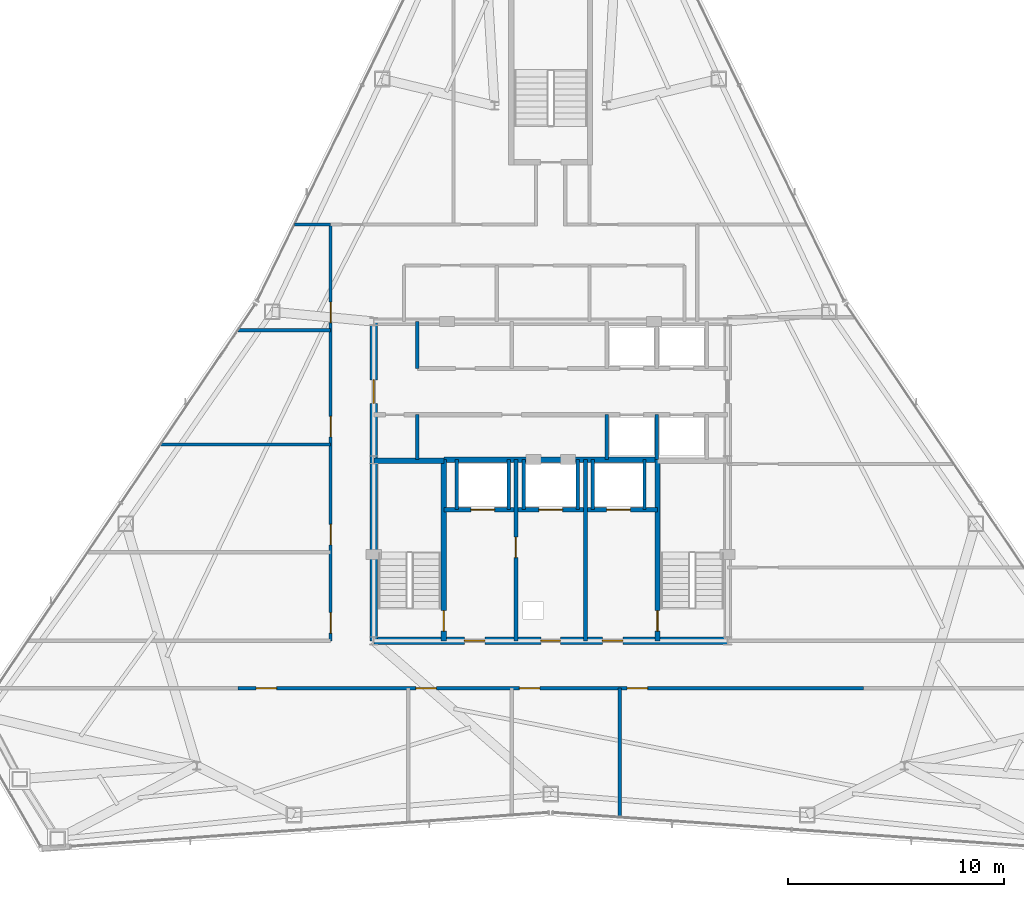
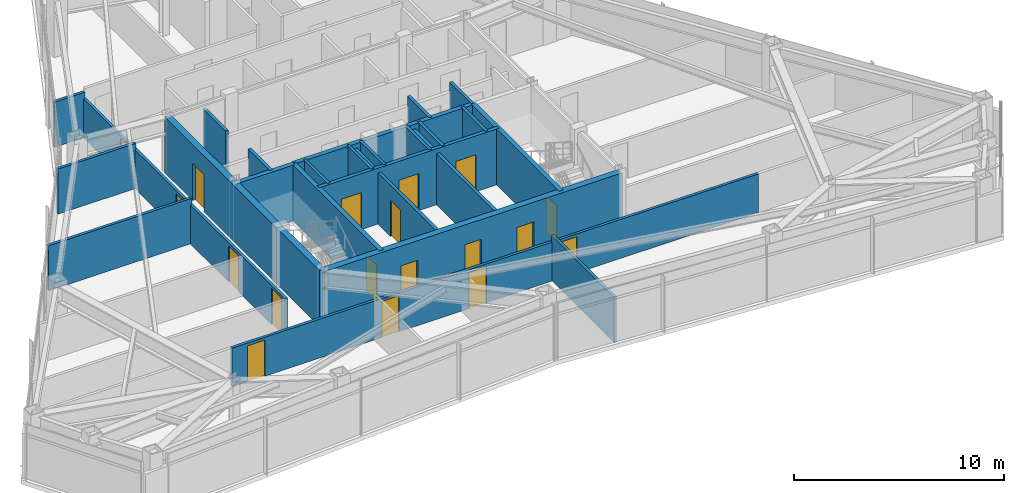
# One storey, part 9 of 12: 25 walls, 18 doors, 18 openings.
"""IFC4 building model written with IfcOpenShell, lengths in metres."""

from ifc_helpers import new_model, si_unit, direction, frame, frame_2d, origin, place, context, subcontext, project, spatial, rectangle, extrude, material, layer, layer_set, type_object, element, fill, save


model = new_model("IFC4")

# Units and contexts
model_context = context("Model", 3, precision=1e-05, world=origin(), true_north=direction((0.0, 1.0)))
body_context = subcontext(model_context, "Body", "Model", "MODEL_VIEW")
ifc_project = project(units=[si_unit("LENGTHUNIT", "METRE"), si_unit("AREAUNIT", "SQUARE_METRE"), si_unit("VOLUMEUNIT", "CUBIC_METRE"), si_unit("PLANEANGLEUNIT", "RADIAN"), si_unit("MASSUNIT", "GRAM", prefix="KILO")], contexts=[model_context])

# Site, building, storey
site_placement = place(None, origin())
site = spatial("IfcSite", under=ifc_project, at=site_placement, CompositionType="ELEMENT")
building_placement = place(site_placement, origin())
building = spatial("IfcBuilding", under=site, at=building_placement, Name="Varakhsha Concourse Tower", CompositionType="ELEMENT")
storey_placement = place(building_placement, frame((0.0, 0.0, 211.89990234375)))
storey = spatial("IfcBuildingStorey", under=building, at=storey_placement, Name="L60", CompositionType="ELEMENT", Elevation=211.89990234375)

# Wall, openings, doors
ifc_material_1 = material(Name="Concrete fc 65 MPa", Category="concrete")
ifc_layer_1 = layer(ifc_material_1, 0.35009765625, Name="WL-CORE-350")
ifc_layer_set_1 = layer_set([ifc_layer_1], Name="Concrete fc 65 MPa")
wall_type_1 = type_object("IfcWallType", Name="WL-CORE-350", PredefinedType="SHEAR", material=ifc_layer_set_1)
wall_1_placement = place(storey_placement, frame((31.800048828125, 16.39990234375, 0.0), z_axis=(0.0, 0.0, 1.0), x_axis=(1.0, 0.0, 0.0)))
wall_1 = element("IfcWall", 1, at=wall_1_placement, inside=storey, type_object=wall_type_1, Name="L60 Wall CWALL-S-L60", PredefinedType="SHEAR", context=body_context, shape_type="SweptSolid", body=[
    extrude(rectangle(XDim=16.39990234375, YDim=0.35009765625, at=frame_2d((8.199951171875, 0.0))), origin(), (0.0, 0.0, 1.0), 3.25),
])
opening_1_placement = place(wall_1_placement, frame((7.75, 0.0, 0.0)))
opening_1 = element("IfcOpeningElement", 2, at=opening_1_placement, cuts=wall_1, Name="Opening DF-06", PredefinedType="OPENING", context=body_context, shape_type="SweptSolid", body=[
    extrude(rectangle(XDim=0.89990234375, YDim=2.10009765625, at=frame_2d((0.449951171875, 1.050048828125))), frame((0.0, 0.18505859375, 0.0), z_axis=(0.0, -1.0, 0.0), x_axis=(1.0, 0.0, 0.0)), (0.0, 0.0, 1.0), 0.3701171875),
])
opening_2_placement = place(wall_1_placement, frame((4.199951171875, 0.0, 0.0)))
opening_2 = element("IfcOpeningElement", 3, at=opening_2_placement, cuts=wall_1, Name="Opening DF-05", PredefinedType="OPENING", context=body_context, shape_type="SweptSolid", body=[
    extrude(rectangle(XDim=0.949951171875, YDim=2.10009765625, at=frame_2d((0.47509765625, 1.050048828125))), frame((0.0, 0.18505859375, 0.0), z_axis=(0.0, -1.0, 0.0), x_axis=(1.0, 0.0, 0.0)), (0.0, 0.0, 1.0), 0.3701171875),
])
opening_3_placement = place(wall_1_placement, frame((10.60009765625, 0.0, 0.0)))
opening_3 = element("IfcOpeningElement", 4, at=opening_3_placement, cuts=wall_1, Name="Opening DF-05", PredefinedType="OPENING", context=body_context, shape_type="SweptSolid", body=[
    extrude(rectangle(XDim=0.949951171875, YDim=2.10009765625, at=frame_2d((0.47509765625, 1.050048828125))), frame((0.0, 0.18505859375, 0.0), z_axis=(0.0, -1.0, 0.0), x_axis=(1.0, 0.0, 0.0)), (0.0, 0.0, 1.0), 0.3701171875),
])
ifc_material_2 = material(Name="Hollow Galvanised Steel Fire Door Assembly", Category="steel")
door_type_1 = type_object("IfcDoorType", Name="DR-FD60-900", OperationType="NOTDEFINED", PredefinedType="DOOR", material=ifc_material_2)
door_1_placement = place(opening_1_placement, origin())
door_1 = element("IfcDoor", 5, at=door_1_placement, inside=storey, type_object=door_type_1, Name="L60 Service Riser Vestibule Door", OperationType="SINGLE_SWING_LEFT", OverallHeight=2.10009765625, OverallWidth=0.89990234375, PredefinedType="DOOR", context=body_context, shape_type="SweptSolid", body=[
    extrude(rectangle(XDim=0.89990234375, YDim=2.10009765625, at=frame_2d((0.449951171875, 1.050048828125))), frame((0.0, 0.02490234375, 0.0), z_axis=(0.0, -1.0, 0.0), x_axis=(1.0, 0.0, 0.0)), (0.0, 0.0, 1.0), 0.050048828125),
])
fill(opening_1, door_1)
door_type_2 = type_object("IfcDoorType", Name="DR-FD60-950", OperationType="NOTDEFINED", PredefinedType="DOOR", material=ifc_material_2)
door_2_placement = place(opening_2_placement, origin())
door_2 = element("IfcDoor", 6, at=door_2_placement, inside=storey, type_object=door_type_2, Name="L60 Firefighting Lobby West Door", OperationType="SINGLE_SWING_RIGHT", OverallHeight=2.10009765625, OverallWidth=0.949951171875, PredefinedType="DOOR", context=body_context, shape_type="SweptSolid", body=[
    extrude(rectangle(XDim=0.949951171875, YDim=2.10009765625, at=frame_2d((0.47509765625, 1.050048828125))), frame((0.0, 0.02490234375, 0.0), z_axis=(0.0, -1.0, 0.0), x_axis=(1.0, 0.0, 0.0)), (0.0, 0.0, 1.0), 0.050048828125),
])
fill(opening_2, door_2)
door_3_placement = place(opening_3_placement, origin())
door_3 = element("IfcDoor", 7, at=door_3_placement, inside=storey, type_object=door_type_2, Name="L60 Firefighting Lobby East Door", OperationType="SINGLE_SWING_LEFT", OverallHeight=2.10009765625, OverallWidth=0.949951171875, PredefinedType="DOOR", context=body_context, shape_type="SweptSolid", body=[
    extrude(rectangle(XDim=0.949951171875, YDim=2.10009765625, at=frame_2d((0.47509765625, 1.050048828125))), frame((0.0, 0.02490234375, 0.0), z_axis=(0.0, -1.0, 0.0), x_axis=(1.0, 0.0, 0.0)), (0.0, 0.0, 1.0), 0.050048828125),
])
fill(opening_3, door_3)

# Wall, opening, door
wall_2_placement = place(storey_placement, frame((31.800048828125, 16.39990234375, 0.0), z_axis=(0.0, 0.0, 1.0), x_axis=(0.0, 1.0, 0.0)))
wall_2 = element("IfcWall", 8, at=wall_2_placement, inside=storey, type_object=wall_type_1, Name="L60 Wall CWALL-W-L60", PredefinedType="SHEAR", context=body_context, shape_type="SweptSolid", body=[
    extrude(rectangle(XDim=14.800048828125, YDim=0.35009765625, at=frame_2d((7.39990234375, 0.0))), origin(), (0.0, 0.0, 1.0), 3.25),
])
opening_4_placement = place(wall_2_placement, frame((11.0, 0.0, 0.0)))
opening_4 = element("IfcOpeningElement", 9, at=opening_4_placement, cuts=wall_2, Name="Opening DL-01", PredefinedType="OPENING", context=body_context, shape_type="SweptSolid", body=[
    extrude(rectangle(XDim=1.10009765625, YDim=2.14990234375, at=frame_2d((0.550048828125, 1.074951171875))), frame((0.0, 0.18505859375, 0.0), z_axis=(0.0, -1.0, 0.0), x_axis=(1.0, 0.0, 0.0)), (0.0, 0.0, 1.0), 0.3701171875),
])
ifc_material_3 = material(Name="Anodised Bronze Architectural Aluminium AA 6063-T6", Category="aluminium")
door_type_3 = type_object("IfcDoorType", Name="DR-LOB-1100", OperationType="NOTDEFINED", PredefinedType="DOOR", material=ifc_material_3)
door_4_placement = place(opening_4_placement, origin())
door_4 = element("IfcDoor", 10, at=door_4_placement, inside=storey, type_object=door_type_3, Name="L60 Lift Lobby West Concourse Door", OperationType="SINGLE_SWING_LEFT", OverallHeight=2.14990234375, OverallWidth=1.10009765625, PredefinedType="DOOR", context=body_context, shape_type="SweptSolid", body=[
    extrude(rectangle(XDim=1.10009765625, YDim=2.14990234375, at=frame_2d((0.550048828125, 1.074951171875))), frame((0.0, 0.02490234375, 0.0), z_axis=(0.0, -1.0, 0.0), x_axis=(1.0, 0.0, 0.0)), (0.0, 0.0, 1.0), 0.050048828125),
])
fill(opening_4, door_4)

ifc_material_4 = material(Name="Fire-Rated Type X Gypsum Partition Assembly", Category="gypsum")
ifc_layer_2 = layer(ifc_material_4, 0.179931640625, Name="WL-FFLOB-180")
ifc_layer_set_2 = layer_set([ifc_layer_2], Name="Fire-Rated Type X Gypsum Partition Assembly")
wall_type_2 = type_object("IfcWallType", Name="WL-FFLOB-180", PredefinedType="PARTITIONING", material=ifc_layer_set_2)
wall_3_placement = place(storey_placement, frame((38.389892578125, 16.39990234375, 0.0), z_axis=(0.0, 0.0, 1.0), x_axis=(0.0, 1.0, 0.0)))
wall_3 = element("IfcWall", 11, at=wall_3_placement, inside=storey, type_object=wall_type_2, Name="L60 Wall FFW-1E-L60", PredefinedType="PARTITIONING", context=body_context, shape_type="SweptSolid", body=[
    extrude(rectangle(XDim=8.400146484375, YDim=0.179931640625, at=frame_2d((4.2001953125, 0.0))), origin(), (0.0, 0.0, 1.0), 2.97802734375),
])
opening_5_placement = place(wall_3_placement, frame((3.85009765625, 0.0, 0.0)))
opening_5 = element("IfcOpeningElement", 12, at=opening_5_placement, cuts=wall_3, Name="Opening DF-05", PredefinedType="OPENING", context=body_context, shape_type="SweptSolid", body=[
    extrude(rectangle(XDim=0.949951171875, YDim=2.10009765625, at=frame_2d((0.47509765625, 1.050048828125))), frame((0.0, 0.099853515625, 0.0), z_axis=(0.0, -1.0, 0.0), x_axis=(1.0, 0.0, 0.0)), (0.0, 0.0, 1.0), 0.199951171875),
])
door_5_placement = place(opening_5_placement, origin())
door_5 = element("IfcDoor", 13, at=door_5_placement, inside=storey, type_object=door_type_2, Name="L60 Service Vestibule Door", OperationType="SINGLE_SWING_RIGHT", OverallHeight=2.10009765625, OverallWidth=0.949951171875, PredefinedType="DOOR", context=body_context, shape_type="SweptSolid", body=[
    extrude(rectangle(XDim=0.949951171875, YDim=2.10009765625, at=frame_2d((0.47509765625, 1.050048828125))), frame((0.0, 0.02490234375, 0.0), z_axis=(0.0, -1.0, 0.0), x_axis=(1.0, 0.0, 0.0)), (0.0, 0.0, 1.0), 0.050048828125),
])
fill(opening_5, door_5)

# Wall
wall_4_placement = place(storey_placement, frame((41.610107421875, 16.39990234375, 0.0), z_axis=(0.0, 0.0, 1.0), x_axis=(0.0, 1.0, 0.0)))
element("IfcWall", 14, at=wall_4_placement, inside=storey, type_object=wall_type_2, Name="L60 Wall FFW-2W-L60", PredefinedType="PARTITIONING", context=body_context, shape_type="SweptSolid", body=[
    extrude(rectangle(XDim=8.400146484375, YDim=0.179931640625, at=frame_2d((4.2001953125, 0.0))), origin(), (0.0, 0.0, 1.0), 2.97802734375),
])

# Wall, openings, doors
ifc_layer_3 = layer(ifc_material_4, 0.14990234375, Name="WL-PART-150")
ifc_layer_set_3 = layer_set([ifc_layer_3], Name="Fire-Rated Type X Gypsum Partition Assembly")
wall_type_3 = type_object("IfcWallType", Name="WL-PART-150", PredefinedType="PARTITIONING", material=ifc_layer_set_3)
wall_5_placement = place(storey_placement, frame((29.800048828125, 16.39990234375, 0.0), z_axis=(0.0, 0.0, 1.0), x_axis=(0.0, 1.0, 0.0)))
wall_5 = element("IfcWall", 15, at=wall_5_placement, inside=storey, type_object=wall_type_3, Name="L60 Wall CRW-W-L60", PredefinedType="PARTITIONING", context=body_context, shape_type="SweptSolid", body=[
    extrude(rectangle(XDim=19.300048828125, YDim=0.14990234375, at=frame_2d((9.64990234375, 0.0))), origin(), (0.0, 0.0, 1.0), 2.26513671875),
])
opening_6_placement = place(wall_5_placement, frame((0.35009765625, 0.0, 0.0)))
opening_6 = element("IfcOpeningElement", 16, at=opening_6_placement, cuts=wall_5, Name="Opening DF-05", PredefinedType="OPENING", context=body_context, shape_type="SweptSolid", body=[
    extrude(rectangle(XDim=0.949951171875, YDim=2.10009765625, at=frame_2d((0.47509765625, 1.050048828125))), frame((0.0, 0.0849609375, 0.0), z_axis=(0.0, -1.0, 0.0), x_axis=(1.0, 0.0, 0.0)), (0.0, 0.0, 1.0), 0.169921875),
])
opening_7_placement = place(wall_5_placement, frame((4.449951171875, 0.0, 0.0)))
opening_7 = element("IfcOpeningElement", 17, at=opening_7_placement, cuts=wall_5, Name="Opening DF-05", PredefinedType="OPENING", context=body_context, shape_type="SweptSolid", body=[
    extrude(rectangle(XDim=0.949951171875, YDim=2.10009765625, at=frame_2d((0.47509765625, 1.050048828125))), frame((0.0, 0.0849609375, 0.0), z_axis=(0.0, -1.0, 0.0), x_axis=(1.0, 0.0, 0.0)), (0.0, 0.0, 1.0), 0.169921875),
])
opening_8_placement = place(wall_5_placement, frame((9.449951171875, 0.0, 0.0)))
opening_8 = element("IfcOpeningElement", 18, at=opening_8_placement, cuts=wall_5, Name="Opening DF-05", PredefinedType="OPENING", context=body_context, shape_type="SweptSolid", body=[
    extrude(rectangle(XDim=0.949951171875, YDim=2.10009765625, at=frame_2d((0.47509765625, 1.050048828125))), frame((0.0, 0.0849609375, 0.0), z_axis=(0.0, -1.0, 0.0), x_axis=(1.0, 0.0, 0.0)), (0.0, 0.0, 1.0), 0.169921875),
])
opening_9_placement = place(wall_5_placement, frame((14.75, 0.0, 0.0)))
opening_9 = element("IfcOpeningElement", 19, at=opening_9_placement, cuts=wall_5, Name="Opening DF-05", PredefinedType="OPENING", context=body_context, shape_type="SweptSolid", body=[
    extrude(rectangle(XDim=0.949951171875, YDim=2.10009765625, at=frame_2d((0.47509765625, 1.050048828125))), frame((0.0, 0.0849609375, 0.0), z_axis=(0.0, -1.0, 0.0), x_axis=(1.0, 0.0, 0.0)), (0.0, 0.0, 1.0), 0.169921875),
])
door_6_placement = place(opening_6_placement, origin())
door_6 = element("IfcDoor", 20, at=door_6_placement, inside=storey, type_object=door_type_2, Name="L60 Diplomatic Reception Gallery L60 Door", OperationType="SINGLE_SWING_LEFT", OverallHeight=2.10009765625, OverallWidth=0.949951171875, PredefinedType="DOOR", context=body_context, shape_type="SweptSolid", body=[
    extrude(rectangle(XDim=0.949951171875, YDim=2.10009765625, at=frame_2d((0.47509765625, 1.050048828125))), frame((0.0, 0.02490234375, 0.0), z_axis=(0.0, -1.0, 0.0), x_axis=(1.0, 0.0, 0.0)), (0.0, 0.0, 1.0), 0.050048828125),
])
fill(opening_6, door_6)
door_7_placement = place(opening_7_placement, origin())
door_7 = element("IfcDoor", 21, at=door_7_placement, inside=storey, type_object=door_type_2, Name="L60 Executive Director Suite L60-W2 Door", OperationType="SINGLE_SWING_RIGHT", OverallHeight=2.10009765625, OverallWidth=0.949951171875, PredefinedType="DOOR", context=body_context, shape_type="SweptSolid", body=[
    extrude(rectangle(XDim=0.949951171875, YDim=2.10009765625, at=frame_2d((0.47509765625, 1.050048828125))), frame((0.0, 0.02490234375, 0.0), z_axis=(0.0, -1.0, 0.0), x_axis=(1.0, 0.0, 0.0)), (0.0, 0.0, 1.0), 0.050048828125),
])
fill(opening_7, door_7)
door_8_placement = place(opening_8_placement, origin())
door_8 = element("IfcDoor", 22, at=door_8_placement, inside=storey, type_object=door_type_2, Name="L60 Executive Director Suite L60-W3 Door", OperationType="SINGLE_SWING_LEFT", OverallHeight=2.10009765625, OverallWidth=0.949951171875, PredefinedType="DOOR", context=body_context, shape_type="SweptSolid", body=[
    extrude(rectangle(XDim=0.949951171875, YDim=2.10009765625, at=frame_2d((0.47509765625, 1.050048828125))), frame((0.0, 0.02490234375, 0.0), z_axis=(0.0, -1.0, 0.0), x_axis=(1.0, 0.0, 0.0)), (0.0, 0.0, 1.0), 0.050048828125),
])
fill(opening_8, door_8)
door_9_placement = place(opening_9_placement, origin())
door_9 = element("IfcDoor", 23, at=door_9_placement, inside=storey, type_object=door_type_2, Name="L60 Executive Director Suite L60-W4 Door", OperationType="SINGLE_SWING_RIGHT", OverallHeight=2.10009765625, OverallWidth=0.949951171875, PredefinedType="DOOR", context=body_context, shape_type="SweptSolid", body=[
    extrude(rectangle(XDim=0.949951171875, YDim=2.10009765625, at=frame_2d((0.47509765625, 1.050048828125))), frame((0.0, 0.02490234375, 0.0), z_axis=(0.0, -1.0, 0.0), x_axis=(1.0, 0.0, 0.0)), (0.0, 0.0, 1.0), 0.050048828125),
])
fill(opening_9, door_9)

wall_6_placement = place(storey_placement, frame((25.5, 14.199951171875, 0.0), z_axis=(0.0, 0.0, 1.0), x_axis=(1.0, 0.0, 0.0)))
wall_6 = element("IfcWall", 24, at=wall_6_placement, inside=storey, type_object=wall_type_3, Name="L60 Wall CRW-S-DOOR-L60", PredefinedType="PARTITIONING", context=body_context, shape_type="SweptSolid", body=[
    extrude(rectangle(XDim=29.0, YDim=0.14990234375, at=frame_2d((14.5, 0.0))), origin(), (0.0, 0.0, 1.0), 2.26513671875),
])
opening_10_placement = place(wall_6_placement, frame((0.85009765625, 0.0, 0.0)))
opening_10 = element("IfcOpeningElement", 25, at=opening_10_placement, cuts=wall_6, Name="Opening DF-05", PredefinedType="OPENING", context=body_context, shape_type="SweptSolid", body=[
    extrude(rectangle(XDim=0.949951171875, YDim=2.10009765625, at=frame_2d((0.47509765625, 1.050048828125))), frame((0.0, 0.0849609375, 0.0), z_axis=(0.0, -1.0, 0.0), x_axis=(1.0, 0.0, 0.0)), (0.0, 0.0, 1.0), 0.169921875),
])
opening_11_placement = place(wall_6_placement, frame((8.25, 0.0, 0.0)))
opening_11 = element("IfcOpeningElement", 26, at=opening_11_placement, cuts=wall_6, Name="Opening DF-05", PredefinedType="OPENING", context=body_context, shape_type="SweptSolid", body=[
    extrude(rectangle(XDim=0.949951171875, YDim=2.10009765625, at=frame_2d((0.47509765625, 1.050048828125))), frame((0.0, 0.0849609375, 0.0), z_axis=(0.0, -1.0, 0.0), x_axis=(1.0, 0.0, 0.0)), (0.0, 0.0, 1.0), 0.169921875),
])
opening_12_placement = place(wall_6_placement, frame((13.050048828125, 0.0, 0.0)))
opening_12 = element("IfcOpeningElement", 27, at=opening_12_placement, cuts=wall_6, Name="Opening DF-05", PredefinedType="OPENING", context=body_context, shape_type="SweptSolid", body=[
    extrude(rectangle(XDim=0.949951171875, YDim=2.10009765625, at=frame_2d((0.47509765625, 1.050048828125))), frame((0.0, 0.0849609375, 0.0), z_axis=(0.0, -1.0, 0.0), x_axis=(1.0, 0.0, 0.0)), (0.0, 0.0, 1.0), 0.169921875),
])
opening_13_placement = place(wall_6_placement, frame((18.050048828125, 0.0, 0.0)))
opening_13 = element("IfcOpeningElement", 28, at=opening_13_placement, cuts=wall_6, Name="Opening DF-05", PredefinedType="OPENING", context=body_context, shape_type="SweptSolid", body=[
    extrude(rectangle(XDim=0.949951171875, YDim=2.10009765625, at=frame_2d((0.47509765625, 1.050048828125))), frame((0.0, 0.0849609375, 0.0), z_axis=(0.0, -1.0, 0.0), x_axis=(1.0, 0.0, 0.0)), (0.0, 0.0, 1.0), 0.169921875),
])
door_10_placement = place(opening_10_placement, origin())
door_10 = element("IfcDoor", 29, at=door_10_placement, inside=storey, type_object=door_type_2, Name="L60 Grand Corner Boardroom L60-S1 Door", OperationType="SINGLE_SWING_LEFT", OverallHeight=2.10009765625, OverallWidth=0.949951171875, PredefinedType="DOOR", context=body_context, shape_type="SweptSolid", body=[
    extrude(rectangle(XDim=0.949951171875, YDim=2.10009765625, at=frame_2d((0.47509765625, 1.050048828125))), frame((0.0, 0.02490234375, 0.0), z_axis=(0.0, -1.0, 0.0), x_axis=(1.0, 0.0, 0.0)), (0.0, 0.0, 1.0), 0.050048828125),
])
fill(opening_10, door_10)
door_11_placement = place(opening_11_placement, origin())
door_11 = element("IfcDoor", 30, at=door_11_placement, inside=storey, type_object=door_type_2, Name="L60 Executive Director Suite L60-S2 Door", OperationType="SINGLE_SWING_RIGHT", OverallHeight=2.10009765625, OverallWidth=0.949951171875, PredefinedType="DOOR", context=body_context, shape_type="SweptSolid", body=[
    extrude(rectangle(XDim=0.949951171875, YDim=2.10009765625, at=frame_2d((0.47509765625, 1.050048828125))), frame((0.0, 0.02490234375, 0.0), z_axis=(0.0, -1.0, 0.0), x_axis=(1.0, 0.0, 0.0)), (0.0, 0.0, 1.0), 0.050048828125),
])
fill(opening_11, door_11)
door_12_placement = place(opening_12_placement, origin())
door_12 = element("IfcDoor", 31, at=door_12_placement, inside=storey, type_object=door_type_2, Name="L60 Executive Director Suite L60-S3 Door", OperationType="SINGLE_SWING_LEFT", OverallHeight=2.10009765625, OverallWidth=0.949951171875, PredefinedType="DOOR", context=body_context, shape_type="SweptSolid", body=[
    extrude(rectangle(XDim=0.949951171875, YDim=2.10009765625, at=frame_2d((0.47509765625, 1.050048828125))), frame((0.0, 0.02490234375, 0.0), z_axis=(0.0, -1.0, 0.0), x_axis=(1.0, 0.0, 0.0)), (0.0, 0.0, 1.0), 0.050048828125),
])
fill(opening_12, door_12)
door_13_placement = place(opening_13_placement, origin())
door_13 = element("IfcDoor", 32, at=door_13_placement, inside=storey, type_object=door_type_2, Name="L60 Executive Director Suite L60-S4 Door", OperationType="SINGLE_SWING_RIGHT", OverallHeight=2.10009765625, OverallWidth=0.949951171875, PredefinedType="DOOR", context=body_context, shape_type="SweptSolid", body=[
    extrude(rectangle(XDim=0.949951171875, YDim=2.10009765625, at=frame_2d((0.47509765625, 1.050048828125))), frame((0.0, 0.02490234375, 0.0), z_axis=(0.0, -1.0, 0.0), x_axis=(1.0, 0.0, 0.0)), (0.0, 0.0, 1.0), 0.050048828125),
])
fill(opening_13, door_13)

# Walls
wall_7_placement = place(storey_placement, frame((43.199951171875, 8.2236328125, 0.0), z_axis=(0.0, 0.0, 1.0), x_axis=(0.0, 1.0, 0.0)))
element("IfcWall", 33, at=wall_7_placement, inside=storey, type_object=wall_type_3, Name="L60 Wall ODIV-S3-L60", PredefinedType="PARTITIONING", context=body_context, shape_type="SweptSolid", body=[
    extrude(rectangle(XDim=5.976318359375, YDim=0.14990234375, at=frame_2d((2.98828125, 0.0))), origin(), (0.0, 0.0, 1.0), 2.628173828125),
])
wall_8_placement = place(storey_placement, frame((28.124267578125, 35.699951171875, 0.0), z_axis=(0.0, 0.0, 1.0), x_axis=(1.0, 0.0, 0.0)))
element("IfcWall", 34, at=wall_8_placement, inside=storey, type_object=wall_type_3, Name="L60 Wall ODIV-WBN-L60", PredefinedType="PARTITIONING", context=body_context, shape_type="SweptSolid", body=[
    extrude(rectangle(XDim=1.67578125, YDim=0.14990234375, at=frame_2d((0.837890625, 0.0))), origin(), (0.0, 0.0, 1.0), 2.628173828125),
])
wall_9_placement = place(storey_placement, frame((21.91650390625, 25.5, 0.0), z_axis=(0.0, 0.0, 1.0), x_axis=(1.0, 0.0, 0.0)))
element("IfcWall", 35, at=wall_9_placement, inside=storey, type_object=wall_type_3, Name="L60 Wall ODIV-W2-L60", PredefinedType="PARTITIONING", context=body_context, shape_type="SweptSolid", body=[
    extrude(rectangle(XDim=7.883544921875, YDim=0.14990234375, at=frame_2d((3.94189453125, 0.0))), origin(), (0.0, 0.0, 1.0), 2.628173828125),
])
wall_10_placement = place(storey_placement, frame((25.498779296875, 30.800048828125, 0.0), z_axis=(0.0, 0.0, 1.0), x_axis=(1.0, 0.0, 0.0)))
element("IfcWall", 36, at=wall_10_placement, inside=storey, type_object=wall_type_3, Name="L60 Wall ODIV-W3-L60", PredefinedType="PARTITIONING", context=body_context, shape_type="SweptSolid", body=[
    extrude(rectangle(XDim=4.30126953125, YDim=0.14990234375, at=frame_2d((2.150634765625, 0.0))), origin(), (0.0, 0.0, 1.0), 2.628173828125),
])

# Wall, openings, doors
ifc_layer_4 = layer(ifc_material_4, 0.199951171875, Name="WL-SHAFT-220")
ifc_layer_set_4 = layer_set([ifc_layer_4], Name="Fire-Rated Type X Gypsum Partition Assembly")
wall_type_4 = type_object("IfcWallType", Name="WL-SHAFT-220", PredefinedType="SOLIDWALL", material=ifc_layer_set_4)
wall_11_placement = place(storey_placement, frame((35.044921875, 22.47998046875, 0.0), z_axis=(0.0, 0.0, 1.0), x_axis=(1.0, 0.0, 0.0)))
wall_11 = element("IfcWall", 37, at=wall_11_placement, inside=storey, type_object=wall_type_4, Name="L60 Wall FFW-NH-L60", PredefinedType="SOLIDWALL", context=body_context, shape_type="SweptSolid", body=[
    extrude(rectangle(XDim=9.91015625, YDim=0.199951171875, at=frame_2d((4.955078125, 0.0))), origin(), (0.0, 0.0, 1.0), 3.25),
])
opening_14_placement = place(wall_11_placement, frame((1.2548828125, 0.0, 0.0)))
opening_14 = element("IfcOpeningElement", 38, at=opening_14_placement, cuts=wall_11, Name="Opening LD-FFL-1", PredefinedType="OPENING", context=body_context, shape_type="SweptSolid", body=[
    extrude(rectangle(XDim=1.10009765625, YDim=2.14990234375, at=frame_2d((0.550048828125, 1.074951171875))), frame((0.0, 0.10986328125, 0.0), z_axis=(0.0, -1.0, 0.0), x_axis=(1.0, 0.0, 0.0)), (0.0, 0.0, 1.0), 0.219970703125),
])
opening_15_placement = place(wall_11_placement, frame((7.554931640625, 0.0, 0.0)))
opening_15 = element("IfcOpeningElement", 39, at=opening_15_placement, cuts=wall_11, Name="Opening LD-FFL-2", PredefinedType="OPENING", context=body_context, shape_type="SweptSolid", body=[
    extrude(rectangle(XDim=1.10009765625, YDim=2.14990234375, at=frame_2d((0.550048828125, 1.074951171875))), frame((0.0, 0.10986328125, 0.0), z_axis=(0.0, -1.0, 0.0), x_axis=(1.0, 0.0, 0.0)), (0.0, 0.0, 1.0), 0.219970703125),
])
opening_16_placement = place(wall_11_placement, frame((4.405029296875, 0.0, 0.0)))
opening_16 = element("IfcOpeningElement", 40, at=opening_16_placement, cuts=wall_11, Name="Opening LD-SVL-1", PredefinedType="OPENING", context=body_context, shape_type="SweptSolid", body=[
    extrude(rectangle(XDim=1.10009765625, YDim=2.14990234375, at=frame_2d((0.550048828125, 1.074951171875))), frame((0.0, 0.10986328125, 0.0), z_axis=(0.0, -1.0, 0.0), x_axis=(1.0, 0.0, 0.0)), (0.0, 0.0, 1.0), 0.219970703125),
])
ifc_material_5 = material(Name="Brushed Austenitic Stainless Steel AISI 316", Category="steel")
door_type_4 = type_object("IfcDoorType", Name="DR-LD-1100", OperationType="DOUBLE_DOOR_SLIDING", PredefinedType="DOOR", material=ifc_material_5)
door_14_placement = place(opening_14_placement, origin())
door_14 = element("IfcDoor", 41, at=door_14_placement, inside=storey, type_object=door_type_4, Name="Lift Landing Door FFL-1 L60", OperationType="DOUBLE_DOOR_SLIDING", OverallHeight=2.14990234375, OverallWidth=1.10009765625, PredefinedType="DOOR", context=body_context, shape_type="SweptSolid", body=[
    extrude(rectangle(XDim=1.10009765625, YDim=2.14990234375, at=frame_2d((0.550048828125, 1.074951171875))), frame((0.0, 0.02490234375, 0.0), z_axis=(0.0, -1.0, 0.0), x_axis=(1.0, 0.0, 0.0)), (0.0, 0.0, 1.0), 0.050048828125),
])
fill(opening_14, door_14)
door_15_placement = place(opening_15_placement, origin())
door_15 = element("IfcDoor", 42, at=door_15_placement, inside=storey, type_object=door_type_4, Name="Lift Landing Door FFL-2 L60", OperationType="DOUBLE_DOOR_SLIDING", OverallHeight=2.14990234375, OverallWidth=1.10009765625, PredefinedType="DOOR", context=body_context, shape_type="SweptSolid", body=[
    extrude(rectangle(XDim=1.10009765625, YDim=2.14990234375, at=frame_2d((0.550048828125, 1.074951171875))), frame((0.0, 0.02490234375, 0.0), z_axis=(0.0, -1.0, 0.0), x_axis=(1.0, 0.0, 0.0)), (0.0, 0.0, 1.0), 0.050048828125),
])
fill(opening_15, door_15)
door_16_placement = place(opening_16_placement, origin())
door_16 = element("IfcDoor", 43, at=door_16_placement, inside=storey, type_object=door_type_4, Name="Lift Landing Door SVL-1 L60", OperationType="DOUBLE_DOOR_SLIDING", OverallHeight=2.14990234375, OverallWidth=1.10009765625, PredefinedType="DOOR", context=body_context, shape_type="SweptSolid", body=[
    extrude(rectangle(XDim=1.10009765625, YDim=2.14990234375, at=frame_2d((0.550048828125, 1.074951171875))), frame((0.0, 0.02490234375, 0.0), z_axis=(0.0, -1.0, 0.0), x_axis=(1.0, 0.0, 0.0)), (0.0, 0.0, 1.0), 0.050048828125),
])
fill(opening_16, door_16)

# Walls
for number, where, z_axis, x_axis, name in (
    (44, (35.64990234375, 22.47998046875, 0.0), (0.0, 0.0, 1.0), (0.0, 1.0, 0.0), "L60 Wall SHW-FFL-1-W-L60"),
    (45, (38.050048828125, 22.47998046875, 0.0), (0.0, 0.0, 1.0), (0.0, 1.0, 0.0), "L60 Wall SHW-FFL-1-E-L60"),
    (46, (41.949951171875, 22.47998046875, 0.0), (0.0, 0.0, 1.0), (0.0, 1.0, 0.0), "L60 Wall SHW-FFL-2-W-L60"),
    (47, (44.35009765625, 22.47998046875, 0.0), (0.0, 0.0, 1.0), (0.0, 1.0, 0.0), "L60 Wall SHW-FFL-2-E-L60"),
    (48, (38.75, 22.47998046875, 0.0), (0.0, 0.0, 1.0), (0.0, 1.0, 0.0), "L60 Wall SHW-SVL-1-W-L60"),
    (49, (41.25, 22.47998046875, 0.0), (0.0, 0.0, 1.0), (0.0, 1.0, 0.0), "L60 Wall SHW-SVL-1-E-L60"),
):
    element("IfcWall", number, at=place(storey_placement, frame(where, z_axis=z_axis, x_axis=x_axis)), inside=storey, type_object=wall_type_4, Name=name, PredefinedType="SOLIDWALL", context=body_context, shape_type="SweptSolid", body=[
        extrude(rectangle(XDim=2.320068359375, YDim=0.159912109375, at=frame_2d((1.16015625, 0.0))), origin(), (0.0, 0.0, 1.0), 3.25),
    ])
wall_12_placement = place(storey_placement, frame((33.820068359375, 29.02001953125, 0.0), z_axis=(0.0, 0.0, 1.0), x_axis=(0.0, 1.0, 0.0)))
element("IfcWall", 50, at=wall_12_placement, inside=storey, type_object=wall_type_4, Name="L60 Wall WBOH-E1-L60", PredefinedType="SOLIDWALL", context=body_context, shape_type="SweptSolid", body=[
    extrude(rectangle(XDim=2.179931640625, YDim=0.159912109375, at=frame_2d((1.08984375, 0.0))), origin(), (0.0, 0.0, 1.0), 2.97802734375),
])
for number, where, z_axis, x_axis, name in (
    (51, (33.820068359375, 24.800048828125, 0.0), (0.0, 0.0, 1.0), (0.0, 1.0, 0.0), "L60 Wall WBOH-E2-L60"),
    (52, (42.60009765625, 24.800048828125, 0.0), (0.0, 0.0, 1.0), (0.0, 1.0, 0.0), "L60 Wall SHW-LF-P11-W-L60"),
    (53, (44.919921875, 24.800048828125, 0.0), (0.0, 0.0, 1.0), (0.0, 1.0, 0.0), "L60 Wall SHW-LF-P11-E-L60"),
):
    element("IfcWall", number, at=place(storey_placement, frame(where, z_axis=z_axis, x_axis=x_axis)), inside=storey, type_object=wall_type_4, Name=name, PredefinedType="SOLIDWALL", context=body_context, shape_type="SweptSolid", body=[
        extrude(rectangle(XDim=2.079833984375, YDim=0.159912109375, at=frame_2d((1.0400390625, 0.0))), origin(), (0.0, 0.0, 1.0), 3.25),
    ])

# Wall, opening, door
ifc_material_6 = material(Name="Concrete fc 45 MPa", Category="concrete")
ifc_layer_5 = layer(ifc_material_6, 0.25, Name="WL-STAIR-250")
ifc_layer_set_5 = layer_set([ifc_layer_5], Name="Concrete fc 45 MPa")
wall_type_5 = type_object("IfcWallType", Name="WL-STAIR-250", PredefinedType="SHEAR", material=ifc_layer_set_5)
wall_13_placement = place(storey_placement, frame((35.044921875, 16.39990234375, 0.0), z_axis=(0.0, 0.0, 1.0), x_axis=(0.0, 1.0, 0.0)))
wall_13 = element("IfcWall", 54, at=wall_13_placement, inside=storey, type_object=wall_type_5, Name="L60 Wall SWALL-ST1-E-L60", PredefinedType="SHEAR", context=body_context, shape_type="SweptSolid", body=[
    extrude(rectangle(XDim=8.400146484375, YDim=0.25, at=frame_2d((4.2001953125, 0.0))), origin(), (0.0, 0.0, 1.0), 3.25),
])
opening_17_placement = place(wall_13_placement, frame((0.449951171875, 0.0, 0.0)))
opening_17 = element("IfcOpeningElement", 55, at=opening_17_placement, cuts=wall_13, Name="Opening DF-03", PredefinedType="OPENING", context=body_context, shape_type="SweptSolid", body=[
    extrude(rectangle(XDim=0.949951171875, YDim=2.10009765625, at=frame_2d((0.47509765625, 1.050048828125))), frame((0.0, 0.135009765625, 0.0), z_axis=(0.0, -1.0, 0.0), x_axis=(1.0, 0.0, 0.0)), (0.0, 0.0, 1.0), 0.27001953125),
])
door_type_5 = type_object("IfcDoorType", Name="DR-FD90-950", OperationType="NOTDEFINED", PredefinedType="DOOR", material=ifc_material_2)
door_17_placement = place(opening_17_placement, origin())
door_17 = element("IfcDoor", 56, at=door_17_placement, inside=storey, type_object=door_type_5, Name="L60 Stair ST1 Fire Door", OperationType="SINGLE_SWING_LEFT", OverallHeight=2.10009765625, OverallWidth=0.949951171875, PredefinedType="DOOR", context=body_context, shape_type="SweptSolid", body=[
    extrude(rectangle(XDim=0.949951171875, YDim=2.10009765625, at=frame_2d((0.47509765625, 1.050048828125))), frame((0.0, 0.02490234375, 0.0), z_axis=(0.0, -1.0, 0.0), x_axis=(1.0, 0.0, 0.0)), (0.0, 0.0, 1.0), 0.050048828125),
])
fill(opening_17, door_17)

# Wall
wall_14_placement = place(storey_placement, frame((31.800048828125, 24.7548828125, 0.0), z_axis=(0.0, 0.0, 1.0), x_axis=(1.0, 0.0, 0.0)))
element("IfcWall", 57, at=wall_14_placement, inside=storey, type_object=wall_type_5, Name="L60 Wall SWALL-ST1-N-L60", PredefinedType="SHEAR", context=body_context, shape_type="SweptSolid", body=[
    extrude(rectangle(XDim=3.244873046875, YDim=0.25, at=frame_2d((1.62255859375, 0.0))), origin(), (0.0, 0.0, 1.0), 3.25),
])

# Wall, opening, door
wall_15_placement = place(storey_placement, frame((44.955078125, 16.39990234375, 0.0), z_axis=(0.0, 0.0, 1.0), x_axis=(0.0, 1.0, 0.0)))
wall_15 = element("IfcWall", 58, at=wall_15_placement, inside=storey, type_object=wall_type_5, Name="L60 Wall SWALL-ST2-W-L60", PredefinedType="SHEAR", context=body_context, shape_type="SweptSolid", body=[
    extrude(rectangle(XDim=8.400146484375, YDim=0.25, at=frame_2d((4.2001953125, 0.0))), origin(), (0.0, 0.0, 1.0), 3.25),
])
opening_18_placement = place(wall_15_placement, frame((0.449951171875, 0.0, 0.0)))
opening_18 = element("IfcOpeningElement", 59, at=opening_18_placement, cuts=wall_15, Name="Opening DF-03", PredefinedType="OPENING", context=body_context, shape_type="SweptSolid", body=[
    extrude(rectangle(XDim=0.949951171875, YDim=2.10009765625, at=frame_2d((0.47509765625, 1.050048828125))), frame((0.0, 0.135009765625, 0.0), z_axis=(0.0, -1.0, 0.0), x_axis=(1.0, 0.0, 0.0)), (0.0, 0.0, 1.0), 0.27001953125),
])
door_18_placement = place(opening_18_placement, origin())
door_18 = element("IfcDoor", 60, at=door_18_placement, inside=storey, type_object=door_type_5, Name="L60 Stair ST2 Fire Door", OperationType="SINGLE_SWING_RIGHT", OverallHeight=2.10009765625, OverallWidth=0.949951171875, PredefinedType="DOOR", context=body_context, shape_type="SweptSolid", body=[
    extrude(rectangle(XDim=0.949951171875, YDim=2.10009765625, at=frame_2d((0.47509765625, 1.050048828125))), frame((0.0, 0.02490234375, 0.0), z_axis=(0.0, -1.0, 0.0), x_axis=(1.0, 0.0, 0.0)), (0.0, 0.0, 1.0), 0.050048828125),
])
fill(opening_18, door_18)

# Wall
wall_16_placement = place(storey_placement, frame((35.044921875, 24.800048828125, 0.0), z_axis=(0.0, 0.0, 1.0), x_axis=(1.0, 0.0, 0.0)))
element("IfcWall", 61, at=wall_16_placement, inside=storey, type_object=wall_type_5, Name="L60 Wall SWALL-MID-H-L60", PredefinedType="SHEAR", context=body_context, shape_type="SweptSolid", body=[
    extrude(rectangle(XDim=9.91015625, YDim=0.25, at=frame_2d((4.955078125, 0.0))), origin(), (0.0, 0.0, 1.0), 3.25),
])

save(model, "model.ifc")
